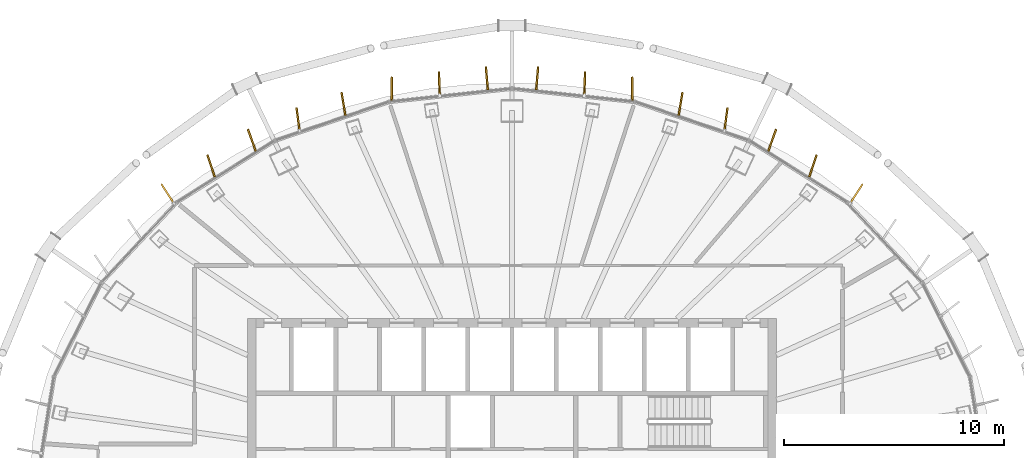
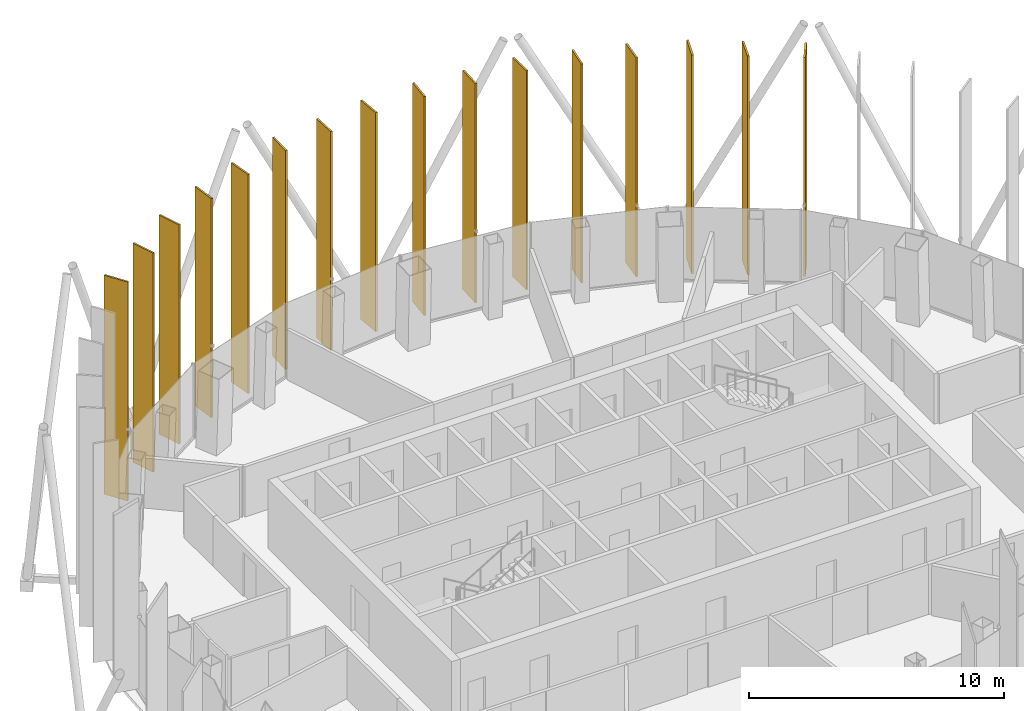
# One storey, part 20 of 20: 16 shading devices.
"""IFC4 building model written with IfcOpenShell, lengths in metres."""

from ifc_helpers import new_model, si_unit, direction, frame, origin, origin_2d, place, context, subcontext, project, spatial, rectangle, extrude, material, layer, layer_set, type_object, element, save


model = new_model("IFC4")

# Units and contexts
model_context = context("Model", 3, precision=1e-05, world=origin(), true_north=direction((0.0, 1.0)))
body_context = subcontext(model_context, "Body", "Model", "MODEL_VIEW")
ifc_project = project(units=[si_unit("LENGTHUNIT", "METRE"), si_unit("AREAUNIT", "SQUARE_METRE"), si_unit("VOLUMEUNIT", "CUBIC_METRE"), si_unit("PLANEANGLEUNIT", "RADIAN"), si_unit("MASSUNIT", "GRAM", prefix="KILO")], contexts=[model_context])

# Site, building, storey
site_placement = place(None, origin())
site = spatial("IfcSite", under=ifc_project, at=site_placement, CompositionType="ELEMENT")
building_placement = place(site_placement, origin())
building = spatial("IfcBuilding", under=site, at=building_placement, Name="Siaravel Broadcast Tower", CompositionType="ELEMENT")
storey_placement = place(building_placement, frame((0.0, 0.0, 228.199951171875)))
storey = spatial("IfcBuildingStorey", under=building, at=storey_placement, Name="L55", CompositionType="ELEMENT", Elevation=228.199951171875)

# Shading devices
ifc_material = material(Name="Bronze anodised aluminium", Category="aluminium")
ifc_layer = layer(ifc_material, 0.080078125)
ifc_layer_set = layer_set([ifc_layer], Name="Bronze anodised aluminium")
shading_device_type = type_object("IfcShadingDeviceType", Name="Bronze fin zone 4", PredefinedType="USERDEFINED", material=ifc_layer_set)
for number, where, z_axis, x_axis, name in (
    (1, (15.62060546875, 12.85986328125, 0.300048828125), (0.0, 0.0, 1.0), (0.542752342, 0.839892788, 0.0), "Bronze fin L55-07"),
    (2, (13.651123046875, 14.1201171875, 0.300048828125), (0.0, 0.0, 1.0), (0.316453788, 0.948607927, 0.0), "Bronze fin L55-08"),
    (3, (11.802001953125, 15.284912109375, 0.300048828125), (0.0, 0.0, 1.0), (0.332177594, 0.94321686, 0.0), "Bronze fin L55-09"),
    (4, (9.7041015625, 16.232177734375, 0.300048828125), (0.0, 0.0, 1.0), (0.130489854, 0.991449645, 0.0), "Bronze fin L55-10"),
    (5, (7.64453125, 16.934326171875, 0.300048828125), (0.0, 0.0, 1.0), (0.164877185, 0.986314105, 0.0), "Bronze fin L55-11"),
    (6, (5.4541015625, 17.626220703125, 0.300048828125), (0.0, 0.0, 1.0), (-0.012484016, 0.999922072, 0.0), "Bronze fin L55-12"),
    (7, (3.296875, 17.861083984375, 0.300048828125), (0.0, 0.0, 1.0), (0.033357525, 0.999443483, 0.0), "Bronze fin L55-13"),
    (8, (1.14111328125, 18.0947265625, 0.300048828125), (0.0, 0.0, 1.0), (0.082453378, 0.996594923, 0.0), "Bronze fin L55-14"),
    (9, (-1.14111328125, 18.0947265625, 0.300048828125), (0.0, 0.0, 1.0), (-0.082453378, 0.996594923, 0.0), "Bronze fin L55-15"),
    (10, (-3.296875, 17.861083984375, 0.300048828125), (0.0, 0.0, 1.0), (-0.033357525, 0.999443483, 0.0), "Bronze fin L55-16"),
    (11, (-5.4541015625, 17.626220703125, 0.300048828125), (0.0, 0.0, 1.0), (0.012484016, 0.999922072, 0.0), "Bronze fin L55-17"),
    (12, (-7.64453125, 16.934326171875, 0.300048828125), (0.0, 0.0, 1.0), (-0.164877185, 0.986314105, 0.0), "Bronze fin L55-18"),
    (13, (-9.7041015625, 16.232177734375, 0.300048828125), (0.0, 0.0, 1.0), (-0.130489854, 0.991449645, 0.0), "Bronze fin L55-19"),
    (14, (-11.802001953125, 15.284912109375, 0.300048828125), (0.0, 0.0, 1.0), (-0.332177594, 0.94321686, 0.0), "Bronze fin L55-20"),
    (15, (-13.651123046875, 14.1201171875, 0.300048828125), (0.0, 0.0, 1.0), (-0.316453788, 0.948607927, 0.0), "Bronze fin L55-21"),
    (16, (-15.62060546875, 12.85986328125, 0.300048828125), (0.0, 0.0, 1.0), (-0.542752342, 0.839892788, 0.0), "Bronze fin L55-22"),
):
    element("IfcShadingDevice", number, at=place(storey_placement, frame(where, z_axis=z_axis, x_axis=x_axis)), inside=storey, type_object=shading_device_type, Name=name, ObjectType="FIN", PredefinedType="USERDEFINED", context=body_context, shape_type="SweptSolid", body=[
        extrude(rectangle(XDim=1.050048828125, YDim=0.080078125, at=origin_2d()), origin(), (0.0, 0.0, 1.0), 10.5),
    ])

save(model, "model.ifc")
